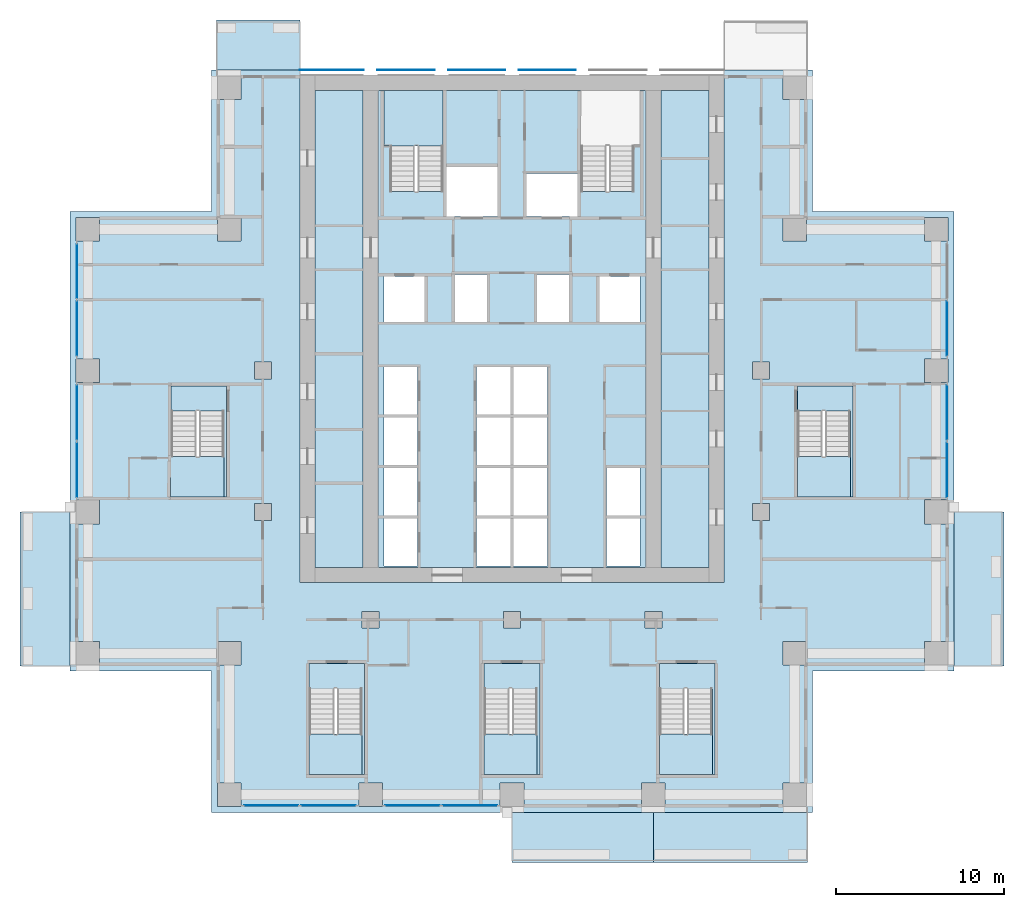
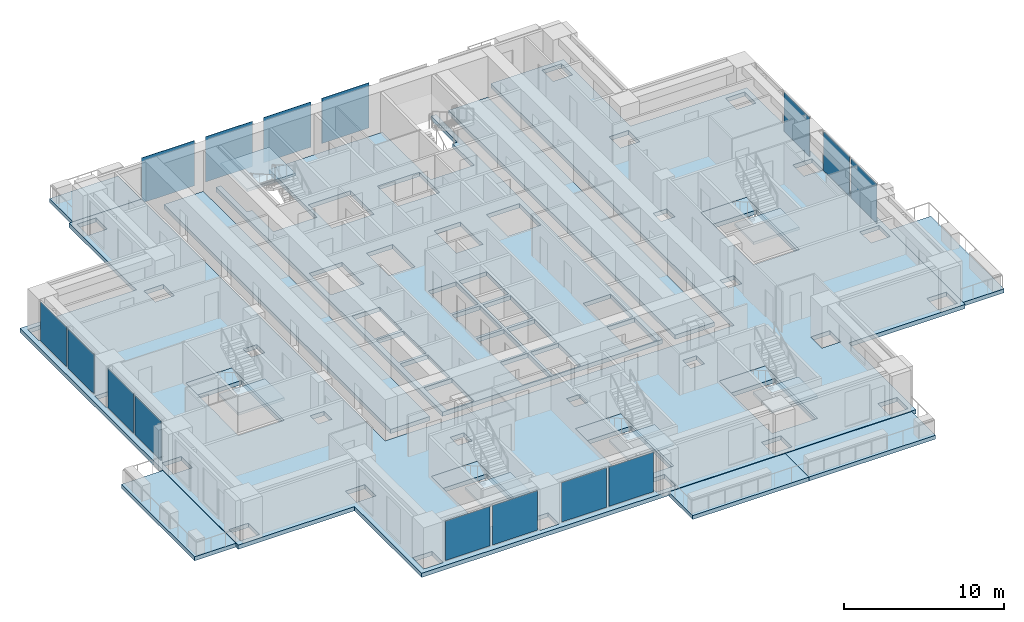
# One storey, part 7 of 17: 20 slabs, 15 plates, 12 elements without a shape of their own.
"""IFC4 building model written with IfcOpenShell, lengths in metres."""

from ifc_helpers import new_model, si_unit, direction, frame, origin, origin_2d, place, context, subcontext, project, spatial, polyline, rectangle, outline, extrude, material, layer, layer_set, type_object, element, aggregate, save


model = new_model("IFC4")

# Units and contexts
model_context = context("Model", 3, precision=1e-05, world=origin(), true_north=direction((0.0, 1.0)))
body_context = subcontext(model_context, "Body", "Model", "MODEL_VIEW")
ifc_project = project(units=[si_unit("LENGTHUNIT", "METRE"), si_unit("AREAUNIT", "SQUARE_METRE"), si_unit("VOLUMEUNIT", "CUBIC_METRE"), si_unit("PLANEANGLEUNIT", "RADIAN"), si_unit("MASSUNIT", "GRAM", prefix="KILO")], contexts=[model_context])

# Site, building, storey
site_placement = place(None, origin())
site = spatial("IfcSite", under=ifc_project, at=site_placement, CompositionType="ELEMENT")
building_placement = place(site_placement, origin())
building = spatial("IfcBuilding", under=site, at=building_placement, Name="Vermilion Ogive Tower", CompositionType="ELEMENT")
storey_placement = place(building_placement, frame((0.0, 0.0, 65.550048828125)))
storey = spatial("IfcBuildingStorey", under=building, at=storey_placement, Name="L15", CompositionType="ELEMENT", Elevation=65.550048828125)

# Slabs
ifc_material_1 = material(Name="Concrete B40", Category="concrete")
ifc_layer_1 = layer(ifc_material_1, 0.300048828125)
ifc_layer_set_1 = layer_set([ifc_layer_1], Name="Balcony slab")
slab_type_1 = type_object("IfcSlabType", Name="Balcony slab", PredefinedType="FLOOR", material=ifc_layer_set_1)
slab_1_placement = place(storey_placement, frame((0.0, 0.0, -0.340087890625)))
element("IfcSlab", 1, at=slab_1_placement, inside=storey, type_object=slab_type_1, Name="Balcony slab S03", PredefinedType="FLOOR", context=body_context, shape_type="SweptSolid", body=[
    extrude(outline(polyline([(0.0, -25.030029296875), (8.39990234375, -25.030029296875), (8.39990234375, -22.050048828125), (0.0, -22.050048828125), (0.0, -25.030029296875)])), origin(), (0.0, 0.0, 1.0), 0.300048828125),
])
slab_2_placement = place(storey_placement, frame((0.0, 0.0, -0.340087890625)))
element("IfcSlab", 2, at=slab_2_placement, inside=storey, type_object=slab_type_1, Name="Balcony slab S04", PredefinedType="FLOOR", context=body_context, shape_type="SweptSolid", body=[
    extrude(outline(polyline([(8.39990234375, -25.030029296875), (17.550048828125, -25.030029296875), (17.550048828125, -22.050048828125), (8.39990234375, -22.050048828125), (8.39990234375, -25.030029296875)])), origin(), (0.0, 0.0, 1.0), 0.300048828125),
])
slab_3_placement = place(storey_placement, frame((0.0, 0.0, -0.340087890625)))
element("IfcSlab", 3, at=slab_3_placement, inside=storey, type_object=slab_type_1, Name="Balcony slab E01", PredefinedType="FLOOR", context=body_context, shape_type="SweptSolid", body=[
    extrude(outline(polyline([(29.22998046875, -13.35009765625), (29.22998046875, -4.199951171875), (26.25, -4.199951171875), (26.25, -13.35009765625), (29.22998046875, -13.35009765625)])), origin(), (0.0, 0.0, 1.0), 0.300048828125),
])
slab_4_placement = place(storey_placement, frame((0.0, 0.0, -0.340087890625)))
element("IfcSlab", 4, at=slab_4_placement, inside=storey, type_object=slab_type_1, Name="Balcony slab N201", PredefinedType="FLOOR", context=body_context, shape_type="SweptSolid", body=[
    extrude(outline(polyline([(-12.60009765625, 25.030029296875), (-17.550048828125, 25.030029296875), (-17.550048828125, 22.050048828125), (-12.60009765625, 22.050048828125), (-12.60009765625, 25.030029296875)])), origin(), (0.0, 0.0, 1.0), 0.300048828125),
])
slab_5_placement = place(storey_placement, frame((0.0, 0.0, -0.340087890625)))
element("IfcSlab", 5, at=slab_5_placement, inside=storey, type_object=slab_type_1, Name="Balcony slab W03", PredefinedType="FLOOR", context=body_context, shape_type="SweptSolid", body=[
    extrude(outline(polyline([(-29.22998046875, -4.199951171875), (-29.22998046875, -13.35009765625), (-26.25, -13.35009765625), (-26.25, -4.199951171875), (-29.22998046875, -4.199951171875)])), origin(), (0.0, 0.0, 1.0), 0.300048828125),
])

# Curtain wall, plates
ifc_material_2 = material(Name="Low-iron laminated glazing in aluminium frame", Category="aluminium")
curtain_wall_type = type_object("IfcCurtainWallType", Name="Curtain wall CW7", PredefinedType="NOTDEFINED", material=ifc_material_2)
curtain_wall_1_placement = place(storey_placement, origin())
curtain_wall_1 = element("IfcCurtainWall", 6, at=curtain_wall_1_placement, inside=storey, type_object=curtain_wall_type, Name="Glazed skin S1", PredefinedType="NOTDEFINED")
ifc_material_3 = material(Name="Low-iron laminated glazing in aluminium frame", Category="aluminium")
ifc_layer_2 = layer(ifc_material_3, 0.031982421875)
ifc_layer_set_2 = layer_set([ifc_layer_2], Name="CW7 glazing panel 32")
plate_type_1 = type_object("IfcPlateType", Name="CW7 glazing panel 32", PredefinedType="CURTAIN_PANEL", material=ifc_layer_set_2)
plate_1_placement = place(storey_placement, frame((-14.304931640625, -21.64990234375, 0.06005859375), z_axis=(0.0, 0.0, 1.0), x_axis=(1.0, 0.0, 0.0)))
plate_1 = element("IfcPlate", 7, at=plate_1_placement, type_object=plate_type_1, Name="CW7-S1 panel 1.1", PredefinedType="CURTAIN_PANEL", context=body_context, shape_type="SweptSolid", body=[
    extrude(rectangle(XDim=3.22998046875, YDim=0.031982421875, at=origin_2d()), origin(), (0.0, 0.0, 1.0), 3.010009765625),
])
plate_2_placement = place(storey_placement, frame((-10.89501953125, -21.64990234375, 0.06005859375), z_axis=(0.0, 0.0, 1.0), x_axis=(1.0, 0.0, 0.0)))
plate_2 = element("IfcPlate", 8, at=plate_2_placement, type_object=plate_type_1, Name="CW7-S1 panel 2.1", PredefinedType="CURTAIN_PANEL", context=body_context, shape_type="SweptSolid", body=[
    extrude(rectangle(XDim=3.22998046875, YDim=0.031982421875, at=origin_2d()), origin(), (0.0, 0.0, 1.0), 3.010009765625),
])
aggregate(curtain_wall_1, [plate_1, plate_2])

curtain_wall_2_placement = place(storey_placement, origin())
curtain_wall_2 = element("IfcCurtainWall", 9, at=curtain_wall_2_placement, inside=storey, type_object=curtain_wall_type, Name="Glazed skin S2", PredefinedType="NOTDEFINED")
plate_3_placement = place(storey_placement, frame((-5.905029296875, -21.64990234375, 0.06005859375), z_axis=(0.0, 0.0, 1.0), x_axis=(1.0, 0.0, 0.0)))
plate_3 = element("IfcPlate", 10, at=plate_3_placement, type_object=plate_type_1, Name="CW7-S2 panel 1.1", PredefinedType="CURTAIN_PANEL", context=body_context, shape_type="SweptSolid", body=[
    extrude(rectangle(XDim=3.22998046875, YDim=0.031982421875, at=origin_2d()), origin(), (0.0, 0.0, 1.0), 3.010009765625),
])
plate_4_placement = place(storey_placement, frame((-2.4951171875, -21.64990234375, 0.06005859375), z_axis=(0.0, 0.0, 1.0), x_axis=(1.0, 0.0, 0.0)))
plate_4 = element("IfcPlate", 11, at=plate_4_placement, type_object=plate_type_1, Name="CW7-S2 panel 2.1", PredefinedType="CURTAIN_PANEL", context=body_context, shape_type="SweptSolid", body=[
    extrude(rectangle(XDim=3.22998046875, YDim=0.031982421875, at=origin_2d()), origin(), (0.0, 0.0, 1.0), 3.010009765625),
])
aggregate(curtain_wall_2, [plate_3, plate_4])

curtain_wall_3_placement = place(storey_placement, origin())
curtain_wall_3 = element("IfcCurtainWall", 12, at=curtain_wall_3_placement, inside=storey, type_object=curtain_wall_type, Name="Glazed skin E2", PredefinedType="NOTDEFINED")
plate_5_placement = place(storey_placement, frame((25.85009765625, -1.705078125, 0.06005859375), z_axis=(0.0, 0.0, 1.0), x_axis=(0.0, 1.0, 0.0)))
plate_5 = element("IfcPlate", 13, at=plate_5_placement, type_object=plate_type_1, Name="CW7-E2 panel 1.1", PredefinedType="CURTAIN_PANEL", context=body_context, shape_type="SweptSolid", body=[
    extrude(rectangle(XDim=3.22998046875, YDim=0.031982421875, at=origin_2d()), origin(), (0.0, 0.0, 1.0), 3.010009765625),
])
plate_6_placement = place(storey_placement, frame((25.85009765625, 1.705078125, 0.06005859375), z_axis=(0.0, 0.0, 1.0), x_axis=(0.0, 1.0, 0.0)))
plate_6 = element("IfcPlate", 14, at=plate_6_placement, type_object=plate_type_1, Name="CW7-E2 panel 2.1", PredefinedType="CURTAIN_PANEL", context=body_context, shape_type="SweptSolid", body=[
    extrude(rectangle(XDim=3.22998046875, YDim=0.031982421875, at=origin_2d()), origin(), (0.0, 0.0, 1.0), 3.010009765625),
])
aggregate(curtain_wall_3, [plate_5, plate_6])

# Curtain wall, plate
curtain_wall_4_placement = place(storey_placement, origin())
curtain_wall_4 = element("IfcCurtainWall", 15, at=curtain_wall_4_placement, inside=storey, type_object=curtain_wall_type, Name="Glazed skin E3", PredefinedType="NOTDEFINED")
plate_7_placement = place(storey_placement, frame((25.85009765625, 6.695068359375, 0.06005859375), z_axis=(0.0, 0.0, 1.0), x_axis=(0.0, 1.0, 0.0)))
plate_7 = element("IfcPlate", 16, at=plate_7_placement, type_object=plate_type_1, Name="CW7-E3 panel 1.1", PredefinedType="CURTAIN_PANEL", context=body_context, shape_type="SweptSolid", body=[
    extrude(rectangle(XDim=3.22998046875, YDim=0.031982421875, at=origin_2d()), origin(), (0.0, 0.0, 1.0), 3.010009765625),
])
aggregate(curtain_wall_4, [plate_7])

# Curtain wall, plates
curtain_wall_5_placement = place(storey_placement, origin())
curtain_wall_5 = element("IfcCurtainWall", 17, at=curtain_wall_5_placement, inside=storey, type_object=curtain_wall_type, Name="Glazed skin W1", PredefinedType="NOTDEFINED")
plate_8_placement = place(storey_placement, frame((-25.85009765625, 10.10498046875, 0.06005859375), z_axis=(0.0, 0.0, 1.0), x_axis=(0.0, -1.0, 0.0)))
plate_8 = element("IfcPlate", 18, at=plate_8_placement, type_object=plate_type_1, Name="CW7-W1 panel 1.1", PredefinedType="CURTAIN_PANEL", context=body_context, shape_type="SweptSolid", body=[
    extrude(rectangle(XDim=3.22998046875, YDim=0.031982421875, at=origin_2d()), origin(), (0.0, 0.0, 1.0), 3.010009765625),
])
plate_9_placement = place(storey_placement, frame((-25.85009765625, 6.695068359375, 0.06005859375), z_axis=(0.0, 0.0, 1.0), x_axis=(0.0, -1.0, 0.0)))
plate_9 = element("IfcPlate", 19, at=plate_9_placement, type_object=plate_type_1, Name="CW7-W1 panel 2.1", PredefinedType="CURTAIN_PANEL", context=body_context, shape_type="SweptSolid", body=[
    extrude(rectangle(XDim=3.22998046875, YDim=0.031982421875, at=origin_2d()), origin(), (0.0, 0.0, 1.0), 3.010009765625),
])
aggregate(curtain_wall_5, [plate_8, plate_9])

curtain_wall_6_placement = place(storey_placement, origin())
curtain_wall_6 = element("IfcCurtainWall", 20, at=curtain_wall_6_placement, inside=storey, type_object=curtain_wall_type, Name="Glazed skin W2", PredefinedType="NOTDEFINED")
plate_10_placement = place(storey_placement, frame((-25.85009765625, 1.705078125, 0.06005859375), z_axis=(0.0, 0.0, 1.0), x_axis=(0.0, -1.0, 0.0)))
plate_10 = element("IfcPlate", 21, at=plate_10_placement, type_object=plate_type_1, Name="CW7-W2 panel 1.1", PredefinedType="CURTAIN_PANEL", context=body_context, shape_type="SweptSolid", body=[
    extrude(rectangle(XDim=3.22998046875, YDim=0.031982421875, at=origin_2d()), origin(), (0.0, 0.0, 1.0), 3.010009765625),
])
plate_11_placement = place(storey_placement, frame((-25.85009765625, -1.705078125, 0.06005859375), z_axis=(0.0, 0.0, 1.0), x_axis=(0.0, -1.0, 0.0)))
plate_11 = element("IfcPlate", 22, at=plate_11_placement, type_object=plate_type_1, Name="CW7-W2 panel 2.1", PredefinedType="CURTAIN_PANEL", context=body_context, shape_type="SweptSolid", body=[
    extrude(rectangle(XDim=3.22998046875, YDim=0.031982421875, at=origin_2d()), origin(), (0.0, 0.0, 1.0), 3.010009765625),
])
aggregate(curtain_wall_6, [plate_10, plate_11])

# Slabs
ifc_material_4 = material(Name="Concrete B40", Category="concrete")
ifc_layer_3 = layer(ifc_material_4, 0.320068359375)
ifc_layer_set_3 = layer_set([ifc_layer_3], Name="Core floor slab 320 B40")
slab_type_2 = type_object("IfcSlabType", Name="Core floor slab 320 B40", PredefinedType="FLOOR", material=ifc_layer_set_3)
slab_6_placement = place(storey_placement, frame((0.0, 0.0, -0.320068359375)))
element("IfcSlab", 23, at=slab_6_placement, inside=storey, type_object=slab_type_2, Name="L15-CK-FS1", PredefinedType="FLOOR", context=body_context, shape_type="SweptSolid", body=[
    extrude(outline(polyline([(-8.85400390625, -7.49609375), (-11.696044921875, -7.49609375), (-11.696044921875, 20.845947265625), (-8.85400390625, 20.845947265625), (-8.85400390625, -7.49609375)])), origin(), (0.0, 0.0, 1.0), 0.320068359375),
])
slab_7_placement = place(storey_placement, frame((0.0, 0.0, -0.320068359375)))
element("IfcSlab", 24, at=slab_7_placement, inside=storey, type_object=slab_type_2, Name="L15-CK-FS2", PredefinedType="FLOOR", context=body_context, shape_type="SweptSolid", body=[
    extrude(outline(polyline([(5.75, 14.85009765625), (5.60009765625, 14.85009765625), (5.60009765625, 14.85205078125), (4.10009765625, 14.85205078125), (4.10009765625, 17.550048828125), (4.074951171875, 17.550048828125), (4.074951171875, 20.845947265625), (-4.10009765625, 20.845947265625), (-4.10009765625, 14.85205078125), (-5.60009765625, 14.85205078125), (-5.60009765625, 14.85009765625), (-5.75, 14.85009765625), (-5.75, 14.85205078125), (-7.25, 14.85205078125), (-7.25, 17.550048828125), (-7.60009765625, 17.550048828125), (-7.60009765625, 20.845947265625), (-7.946044921875, 20.845947265625), (-7.946044921875, -7.49609375), (7.946044921875, -7.49609375), (7.946044921875, 20.845947265625), (7.60009765625, 20.845947265625), (7.60009765625, 17.550048828125), (7.25, 17.550048828125), (7.25, 14.85205078125), (5.75, 14.85205078125), (5.75, 14.85009765625)]), holes=[polyline([(-7.60009765625, -4.60009765625), (-5.60009765625, -4.60009765625), (-5.60009765625, -7.39990234375), (-7.60009765625, -7.39990234375), (-7.60009765625, -4.60009765625)]), polyline([(-2.10009765625, -4.60009765625), (-0.10009765625, -4.60009765625), (-0.10009765625, -7.39990234375), (-2.10009765625, -7.39990234375), (-2.10009765625, -4.60009765625)]), polyline([(-7.60009765625, -4.39990234375), (-7.60009765625, -1.60009765625), (-5.60009765625, -1.60009765625), (-5.60009765625, -4.39990234375), (-7.60009765625, -4.39990234375)]), polyline([(-2.10009765625, -1.60009765625), (-0.10009765625, -1.60009765625), (-0.10009765625, -4.39990234375), (-2.10009765625, -4.39990234375), (-2.10009765625, -1.60009765625)]), polyline([(-7.60009765625, -1.39990234375), (-7.60009765625, 1.39990234375), (-5.60009765625, 1.39990234375), (-5.60009765625, -1.39990234375), (-7.60009765625, -1.39990234375)]), polyline([(-2.10009765625, 1.39990234375), (-0.10009765625, 1.39990234375), (-0.10009765625, -1.39990234375), (-2.10009765625, -1.39990234375), (-2.10009765625, 1.39990234375)]), polyline([(-7.60009765625, 4.39990234375), (-5.60009765625, 4.39990234375), (-5.60009765625, 1.60009765625), (-7.60009765625, 1.60009765625), (-7.60009765625, 4.39990234375)]), polyline([(-2.10009765625, 4.39990234375), (-0.10009765625, 4.39990234375), (-0.10009765625, 1.60009765625), (-2.10009765625, 1.60009765625), (-2.10009765625, 4.39990234375)]), polyline([(-7.60009765625, 9.800048828125), (-5.199951171875, 9.800048828125), (-5.199951171875, 7.10009765625), (-7.60009765625, 7.10009765625), (-7.60009765625, 9.800048828125)]), polyline([(-3.39990234375, 9.89990234375), (-1.5, 9.89990234375), (-1.5, 7.10009765625), (-3.39990234375, 7.10009765625), (-3.39990234375, 9.89990234375)]), polyline([(-3.89990234375, 16.300048828125), (-0.85009765625, 16.300048828125), (-0.85009765625, 13.35009765625), (-3.89990234375, 13.35009765625), (-3.89990234375, 16.300048828125)]), polyline([(0.10009765625, -4.60009765625), (2.10009765625, -4.60009765625), (2.10009765625, -7.39990234375), (0.10009765625, -7.39990234375), (0.10009765625, -4.60009765625)]), polyline([(5.60009765625, -4.60009765625), (7.60009765625, -4.60009765625), (7.60009765625, -7.39990234375), (5.60009765625, -7.39990234375), (5.60009765625, -4.60009765625)]), polyline([(0.10009765625, -1.60009765625), (2.10009765625, -1.60009765625), (2.10009765625, -4.39990234375), (0.10009765625, -4.39990234375), (0.10009765625, -1.60009765625)]), polyline([(5.60009765625, -1.60009765625), (7.60009765625, -1.60009765625), (7.60009765625, -4.39990234375), (5.60009765625, -4.39990234375), (5.60009765625, -1.60009765625)]), polyline([(0.10009765625, 1.39990234375), (2.10009765625, 1.39990234375), (2.10009765625, -1.39990234375), (0.10009765625, -1.39990234375), (0.10009765625, 1.39990234375)]), polyline([(0.10009765625, 4.39990234375), (2.10009765625, 4.39990234375), (2.10009765625, 1.60009765625), (0.10009765625, 1.60009765625), (0.10009765625, 4.39990234375)]), polyline([(5.199951171875, 9.800048828125), (7.60009765625, 9.800048828125), (7.60009765625, 7.10009765625), (5.199951171875, 7.10009765625), (5.199951171875, 9.800048828125)]), polyline([(1.5, 9.89990234375), (3.39990234375, 9.89990234375), (3.39990234375, 7.10009765625), (1.5, 7.10009765625), (1.5, 9.89990234375)]), polyline([(0.85009765625, 15.89990234375), (3.89990234375, 15.89990234375), (3.89990234375, 13.35009765625), (0.85009765625, 13.35009765625), (0.85009765625, 15.89990234375)])]), origin(), (0.0, 0.0, 1.0), 0.320068359375),
])
slab_8_placement = place(storey_placement, frame((0.0, 0.0, -0.320068359375)))
element("IfcSlab", 25, at=slab_8_placement, inside=storey, type_object=slab_type_2, Name="L15-CK-FS3", PredefinedType="FLOOR", context=body_context, shape_type="SweptSolid", body=[
    extrude(outline(polyline([(8.85400390625, 20.845947265625), (11.696044921875, 20.845947265625), (11.696044921875, -7.49609375), (8.85400390625, -7.49609375), (8.85400390625, 20.845947265625)])), origin(), (0.0, 0.0, 1.0), 0.320068359375),
])
slab_9_placement = place(storey_placement, frame((0.0, 0.0, -0.320068359375)))
element("IfcSlab", 26, at=slab_9_placement, inside=storey, type_object=slab_type_2, Name="L15-SF-ST3-1", PredefinedType="FLOOR", context=body_context, shape_type="SweptSolid", body=[
    extrude(outline(polyline([(-12.050048828125, -13.199951171875), (-12.050048828125, -14.701904296875), (-10.550048828125, -14.701904296875), (-10.550048828125, -14.699951171875), (-10.39990234375, -14.699951171875), (-10.39990234375, -14.701904296875), (-8.89990234375, -14.701904296875), (-8.89990234375, -19.800048828125), (-8.75, -19.800048828125), (-8.75, -13.199951171875), (-12.050048828125, -13.199951171875)])), origin(), (0.0, 0.0, 1.0), 0.320068359375),
])
slab_10_placement = place(storey_placement, frame((0.0, 0.0, -0.320068359375)))
element("IfcSlab", 27, at=slab_10_placement, inside=storey, type_object=slab_type_2, Name="L15-SF-ST4-1", PredefinedType="FLOOR", context=body_context, shape_type="SweptSolid", body=[
    extrude(outline(polyline([(-1.64990234375, -13.199951171875), (-1.64990234375, -14.701904296875), (-0.14990234375, -14.701904296875), (-0.14990234375, -14.699951171875), (0.0, -14.699951171875), (0.0, -14.701904296875), (1.5, -14.701904296875), (1.5, -19.800048828125), (1.64990234375, -19.800048828125), (1.64990234375, -13.199951171875), (-1.64990234375, -13.199951171875)])), origin(), (0.0, 0.0, 1.0), 0.320068359375),
])
slab_11_placement = place(storey_placement, frame((0.0, 0.0, -0.320068359375)))
element("IfcSlab", 28, at=slab_11_placement, inside=storey, type_object=slab_type_2, Name="L15-SF-ST5-1", PredefinedType="FLOOR", context=body_context, shape_type="SweptSolid", body=[
    extrude(outline(polyline([(8.75, -13.199951171875), (8.75, -14.701904296875), (10.25, -14.701904296875), (10.25, -14.699951171875), (10.39990234375, -14.699951171875), (10.39990234375, -14.701904296875), (11.89990234375, -14.701904296875), (11.89990234375, -19.800048828125), (12.050048828125, -19.800048828125), (12.050048828125, -13.199951171875), (8.75, -13.199951171875)])), origin(), (0.0, 0.0, 1.0), 0.320068359375),
])
slab_12_placement = place(storey_placement, frame((0.0, 0.0, -0.320068359375)))
element("IfcSlab", 29, at=slab_12_placement, inside=storey, type_object=slab_type_2, Name="L15-SF-ST8-1", PredefinedType="FLOOR", context=body_context, shape_type="SweptSolid", body=[
    extrude(outline(polyline([(16.949951171875, 3.300048828125), (16.949951171875, 1.798095703125), (18.449951171875, 1.798095703125), (18.449951171875, 1.800048828125), (18.60009765625, 1.800048828125), (18.60009765625, 1.798095703125), (20.10009765625, 1.798095703125), (20.10009765625, -3.300048828125), (20.25, -3.300048828125), (20.25, 3.300048828125), (16.949951171875, 3.300048828125)])), origin(), (0.0, 0.0, 1.0), 0.320068359375),
])
slab_13_placement = place(storey_placement, frame((0.0, 0.0, -0.320068359375)))
element("IfcSlab", 30, at=slab_13_placement, inside=storey, type_object=slab_type_2, Name="L15-SF-ST9-1", PredefinedType="FLOOR", context=body_context, shape_type="SweptSolid", body=[
    extrude(outline(polyline([(-20.25, 3.300048828125), (-20.25, 1.798095703125), (-18.75, 1.798095703125), (-18.75, 1.800048828125), (-18.60009765625, 1.800048828125), (-18.60009765625, 1.798095703125), (-17.10009765625, 1.798095703125), (-17.10009765625, -3.300048828125), (-16.949951171875, -3.300048828125), (-16.949951171875, 3.300048828125), (-20.25, 3.300048828125)])), origin(), (0.0, 0.0, 1.0), 0.320068359375),
])

# Plates
ifc_material_5 = material(Name="Low-iron laminated glazing in aluminium frame", Category="aluminium")
ifc_layer_4 = layer(ifc_material_5, 0.031982421875)
ifc_layer_set_4 = layer_set([ifc_layer_4], Name="Glazed rainscreen sheet 32")
plate_type_2 = type_object("IfcPlateType", Name="Glazed rainscreen sheet 32", PredefinedType="SHEET", material=ifc_layer_set_4)
plate_12_placement = place(storey_placement, frame((-10.7099609375, 22.06591796875, -0.31982421875), z_axis=(0.0, 0.0, 1.0), x_axis=(1.0, 0.0, 0.0)))
element("IfcPlate", 31, at=plate_12_placement, inside=storey, type_object=plate_type_2, Name="Glazed rainscreen sheet N1", PredefinedType="SHEET", context=body_context, shape_type="SweptSolid", body=[
    extrude(rectangle(XDim=3.820068359375, YDim=0.031982421875, at=origin_2d()), origin(), (0.0, 0.0, 1.0), 3.449951171875),
])
for number, where, z_axis, x_axis, name in (
    (32, (-6.300048828125, 22.06591796875, -0.31982421875), (0.0, 0.0, 1.0), (1.0, 0.0, 0.0), "Glazed rainscreen sheet N2"),
    (33, (-2.10009765625, 22.06591796875, -0.31982421875), (0.0, 0.0, 1.0), (1.0, 0.0, 0.0), "Glazed rainscreen sheet N3"),
    (34, (2.10009765625, 22.06591796875, -0.31982421875), (0.0, 0.0, 1.0), (1.0, 0.0, 0.0), "Glazed rainscreen sheet N4"),
):
    element("IfcPlate", number, at=place(storey_placement, frame(where, z_axis=z_axis, x_axis=x_axis)), inside=storey, type_object=plate_type_2, Name=name, PredefinedType="SHEET", context=body_context, shape_type="SweptSolid", body=[
        extrude(rectangle(XDim=3.39990234375, YDim=0.031982421875, at=origin_2d()), origin(), (0.0, 0.0, 1.0), 3.449951171875),
    ])

# Slab
ifc_material_6 = material(Name="Concrete B45", Category="concrete")
ifc_layer_5 = layer(ifc_material_6, 0.320068359375)
ifc_layer_set_5 = layer_set([ifc_layer_5], Name="Post-tensioned flat plate 320 B45")
slab_type_3 = type_object("IfcSlabType", Name="Post-tensioned flat plate 320 B45", PredefinedType="FLOOR", material=ifc_layer_set_5)
slab_14_placement = place(storey_placement, frame((0.0, 0.0, -0.320068359375)))
element("IfcSlab", 35, at=slab_14_placement, inside=storey, type_object=slab_type_3, Name="L15-SL-1", PredefinedType="FLOOR", context=body_context, shape_type="SweptSolid", body=[
    extrude(outline(polyline([(-26.25, -13.64990234375), (-17.85009765625, -13.64990234375), (-17.85009765625, -22.050048828125), (17.85009765625, -22.050048828125), (17.85009765625, -13.64990234375), (26.25, -13.64990234375), (26.25, 13.64990234375), (17.85009765625, 13.64990234375), (17.85009765625, 22.050048828125), (12.60009765625, 22.050048828125), (12.60009765625, -8.39990234375), (-12.60009765625, -8.39990234375), (-12.60009765625, 22.050048828125), (-17.85009765625, 22.050048828125), (-17.85009765625, 13.64990234375), (-26.25, 13.64990234375), (-26.25, -13.64990234375)]), holes=[polyline([(25.89990234375, -3.5), (25.89990234375, -4.89990234375), (24.5, -4.89990234375), (24.5, -3.5), (25.89990234375, -3.5)]), polyline([(25.89990234375, -11.89990234375), (25.89990234375, -13.300048828125), (24.5, -13.300048828125), (24.5, -11.89990234375), (25.89990234375, -11.89990234375)]), polyline([(25.89990234375, 11.89990234375), (24.5, 11.89990234375), (24.5, 13.300048828125), (25.89990234375, 13.300048828125), (25.89990234375, 11.89990234375)]), polyline([(25.89990234375, 3.5), (24.5, 3.5), (24.5, 4.89990234375), (25.89990234375, 4.89990234375), (25.89990234375, 3.5)]), polyline([(20.25, 3.300048828125), (20.25, -3.300048828125), (16.949951171875, -3.300048828125), (16.949951171875, 3.300048828125), (20.25, 3.300048828125)]), polyline([(17.5, -11.89990234375), (17.5, -13.300048828125), (16.10009765625, -13.300048828125), (16.10009765625, -11.89990234375), (17.5, -11.89990234375)]), polyline([(17.5, 20.300048828125), (16.10009765625, 20.300048828125), (16.10009765625, 21.699951171875), (17.5, 21.699951171875), (17.5, 20.300048828125)]), polyline([(17.5, -20.300048828125), (17.5, -21.699951171875), (16.10009765625, -21.699951171875), (16.10009765625, -20.300048828125), (17.5, -20.300048828125)]), polyline([(17.5, 13.300048828125), (17.5, 11.89990234375), (16.10009765625, 11.89990234375), (16.10009765625, 13.300048828125), (17.5, 13.300048828125)]), polyline([(15.300048828125, 4.699951171875), (15.300048828125, 3.699951171875), (14.300048828125, 3.699951171875), (14.300048828125, 4.699951171875), (15.300048828125, 4.699951171875)]), polyline([(15.300048828125, -4.699951171875), (14.300048828125, -4.699951171875), (14.300048828125, -3.699951171875), (15.300048828125, -3.699951171875), (15.300048828125, -4.699951171875)]), polyline([(12.050048828125, -13.199951171875), (12.050048828125, -19.800048828125), (8.75, -19.800048828125), (8.75, -13.199951171875), (12.050048828125, -13.199951171875)]), polyline([(9.10009765625, -20.300048828125), (9.10009765625, -21.699951171875), (7.699951171875, -21.699951171875), (7.699951171875, -20.300048828125), (9.10009765625, -20.300048828125)]), polyline([(8.89990234375, -11.10009765625), (7.89990234375, -11.10009765625), (7.89990234375, -10.10009765625), (8.89990234375, -10.10009765625), (8.89990234375, -11.10009765625)]), polyline([(1.64990234375, -13.199951171875), (1.64990234375, -19.800048828125), (-1.64990234375, -19.800048828125), (-1.64990234375, -13.199951171875), (1.64990234375, -13.199951171875)]), polyline([(0.699951171875, -20.300048828125), (0.699951171875, -21.699951171875), (-0.699951171875, -21.699951171875), (-0.699951171875, -20.300048828125), (0.699951171875, -20.300048828125)]), polyline([(0.5, -10.10009765625), (0.5, -11.10009765625), (-0.5, -11.10009765625), (-0.5, -10.10009765625), (0.5, -10.10009765625)]), polyline([(-7.699951171875, -20.300048828125), (-7.699951171875, -21.699951171875), (-9.10009765625, -21.699951171875), (-9.10009765625, -20.300048828125), (-7.699951171875, -20.300048828125)]), polyline([(-7.89990234375, -10.10009765625), (-7.89990234375, -11.10009765625), (-8.89990234375, -11.10009765625), (-8.89990234375, -10.10009765625), (-7.89990234375, -10.10009765625)]), polyline([(-8.75, -13.199951171875), (-8.75, -19.800048828125), (-12.050048828125, -19.800048828125), (-12.050048828125, -13.199951171875), (-8.75, -13.199951171875)]), polyline([(-14.300048828125, 4.699951171875), (-14.300048828125, 3.699951171875), (-15.300048828125, 3.699951171875), (-15.300048828125, 4.699951171875), (-14.300048828125, 4.699951171875)]), polyline([(-14.300048828125, -4.699951171875), (-15.300048828125, -4.699951171875), (-15.300048828125, -3.699951171875), (-14.300048828125, -3.699951171875), (-14.300048828125, -4.699951171875)]), polyline([(-16.10009765625, 13.300048828125), (-16.10009765625, 11.89990234375), (-17.5, 11.89990234375), (-17.5, 13.300048828125), (-16.10009765625, 13.300048828125)]), polyline([(-16.10009765625, -11.89990234375), (-16.10009765625, -13.300048828125), (-17.5, -13.300048828125), (-17.5, -11.89990234375), (-16.10009765625, -11.89990234375)]), polyline([(-16.10009765625, -20.300048828125), (-16.10009765625, -21.699951171875), (-17.5, -21.699951171875), (-17.5, -20.300048828125), (-16.10009765625, -20.300048828125)]), polyline([(-16.10009765625, 20.300048828125), (-17.5, 20.300048828125), (-17.5, 21.699951171875), (-16.10009765625, 21.699951171875), (-16.10009765625, 20.300048828125)]), polyline([(-16.949951171875, 3.300048828125), (-16.949951171875, -3.300048828125), (-20.25, -3.300048828125), (-20.25, -3.2998046875), (-20.275146484375, -3.2998046875), (-20.275146484375, -0.89990234375), (-20.25, -0.89990234375), (-20.25, 3.300048828125), (-16.949951171875, 3.300048828125)]), polyline([(-24.5, 3.5), (-25.89990234375, 3.5), (-25.89990234375, 4.89990234375), (-24.5, 4.89990234375), (-24.5, 3.5)]), polyline([(-24.5, 13.300048828125), (-24.5, 11.89990234375), (-25.89990234375, 11.89990234375), (-25.89990234375, 13.300048828125), (-24.5, 13.300048828125)]), polyline([(-24.5, -3.5), (-24.5, -4.89990234375), (-25.89990234375, -4.89990234375), (-25.89990234375, -3.5), (-24.5, -3.5)]), polyline([(-24.5, -11.89990234375), (-24.5, -13.300048828125), (-25.89990234375, -13.300048828125), (-25.89990234375, -11.89990234375), (-24.5, -11.89990234375)])]), origin(), (0.0, 0.0, 1.0), 0.320068359375),
])

# Stair, slab
ifc_material_7 = material(Name="Concrete B40", Category="concrete")
stair_type = type_object("IfcStairType", Name="Exit stair 1500", PredefinedType="HALF_TURN_STAIR", material=ifc_material_7)
stair_1_placement = place(storey_placement, origin())
stair_1 = element("IfcStair", 36, at=stair_1_placement, inside=storey, type_object=stair_type, Name="L15 Exit Stair ST1", PredefinedType="HALF_TURN_STAIR")
ifc_material_8 = material(Name="Concrete B40", Category="concrete")
ifc_layer_6 = layer(ifc_material_8, 0.199951171875)
ifc_layer_set_6 = layer_set([ifc_layer_6], Name="Stair landing 200")
slab_type_4 = type_object("IfcSlabType", Name="Stair landing 200", PredefinedType="LANDING", material=ifc_layer_set_6)
slab_15_placement = place(storey_placement, frame((0.0, 0.0, 1.52490234375)))
slab_15 = element("IfcSlab", 37, at=slab_15_placement, type_object=slab_type_4, Name="ST1 landing 1", PredefinedType="LANDING", context=body_context, shape_type="SweptSolid", body=[
    extrude(outline(polyline([(-7.60009765625, 17.550048828125), (-7.25, 17.550048828125), (-7.25, 17.548095703125), (-5.75, 17.548095703125), (-5.75, 17.550048828125), (-5.60009765625, 17.550048828125), (-5.60009765625, 17.548095703125), (-4.10009765625, 17.548095703125), (-4.10009765625, 20.85009765625), (-7.60009765625, 20.85009765625), (-7.60009765625, 17.550048828125)])), origin(), (0.0, 0.0, 1.0), 0.199951171875),
])
aggregate(stair_1, [slab_15])

stair_2_placement = place(storey_placement, origin())
stair_2 = element("IfcStair", 38, at=stair_2_placement, inside=storey, type_object=stair_type, Name="L15 Exit Stair ST3", PredefinedType="HALF_TURN_STAIR")
slab_16_placement = place(storey_placement, frame((0.0, 0.0, 1.52490234375)))
slab_16 = element("IfcSlab", 39, at=slab_16_placement, type_object=slab_type_4, Name="ST3 landing 1", PredefinedType="LANDING", context=body_context, shape_type="SweptSolid", body=[
    extrude(outline(polyline([(-8.75, -17.39990234375), (-8.89990234375, -17.39990234375), (-8.89990234375, -17.39794921875), (-10.39990234375, -17.39794921875), (-10.39990234375, -17.39990234375), (-10.550048828125, -17.39990234375), (-10.550048828125, -17.39794921875), (-12.050048828125, -17.39794921875), (-12.050048828125, -19.800048828125), (-8.75, -19.800048828125), (-8.75, -17.39990234375)])), origin(), (0.0, 0.0, 1.0), 0.199951171875),
])
aggregate(stair_2, [slab_16])

stair_3_placement = place(storey_placement, origin())
stair_3 = element("IfcStair", 40, at=stair_3_placement, inside=storey, type_object=stair_type, Name="L15 Exit Stair ST4", PredefinedType="HALF_TURN_STAIR")
slab_17_placement = place(storey_placement, frame((0.0, 0.0, 1.52490234375)))
slab_17 = element("IfcSlab", 41, at=slab_17_placement, type_object=slab_type_4, Name="ST4 landing 1", PredefinedType="LANDING", context=body_context, shape_type="SweptSolid", body=[
    extrude(outline(polyline([(1.64990234375, -17.39990234375), (1.5, -17.39990234375), (1.5, -17.39794921875), (0.0, -17.39794921875), (0.0, -17.39990234375), (-0.14990234375, -17.39990234375), (-0.14990234375, -17.39794921875), (-1.64990234375, -17.39794921875), (-1.64990234375, -19.7998046875), (1.64990234375, -19.7998046875), (1.64990234375, -17.39990234375)])), origin(), (0.0, 0.0, 1.0), 0.199951171875),
])
aggregate(stair_3, [slab_17])

stair_4_placement = place(storey_placement, origin())
stair_4 = element("IfcStair", 42, at=stair_4_placement, inside=storey, type_object=stair_type, Name="L15 Exit Stair ST5", PredefinedType="HALF_TURN_STAIR")
slab_18_placement = place(storey_placement, frame((0.0, 0.0, 1.52490234375)))
slab_18 = element("IfcSlab", 43, at=slab_18_placement, type_object=slab_type_4, Name="ST5 landing 1", PredefinedType="LANDING", context=body_context, shape_type="SweptSolid", body=[
    extrude(outline(polyline([(12.050048828125, -17.39990234375), (11.89990234375, -17.39990234375), (11.89990234375, -17.39794921875), (10.39990234375, -17.39794921875), (10.39990234375, -17.39990234375), (10.25, -17.39990234375), (10.25, -17.39794921875), (8.75, -17.39794921875), (8.75, -19.800048828125), (12.050048828125, -19.800048828125), (12.050048828125, -17.39990234375)])), origin(), (0.0, 0.0, 1.0), 0.199951171875),
])
aggregate(stair_4, [slab_18])

stair_5_placement = place(storey_placement, origin())
stair_5 = element("IfcStair", 44, at=stair_5_placement, inside=storey, type_object=stair_type, Name="L15 Exit Stair ST8", PredefinedType="HALF_TURN_STAIR")
slab_19_placement = place(storey_placement, frame((0.0, 0.0, 1.52490234375)))
slab_19 = element("IfcSlab", 45, at=slab_19_placement, type_object=slab_type_4, Name="ST8 landing 1", PredefinedType="LANDING", context=body_context, shape_type="SweptSolid", body=[
    extrude(outline(polyline([(20.25, -0.89990234375), (20.10009765625, -0.89990234375), (20.10009765625, -0.89794921875), (18.60009765625, -0.89794921875), (18.60009765625, -0.89990234375), (18.449951171875, -0.89990234375), (18.449951171875, -0.89794921875), (16.949951171875, -0.89794921875), (16.949951171875, -0.902099609375), (16.9501953125, -0.902099609375), (16.9501953125, -3.2998046875), (20.25, -3.2998046875), (20.25, -0.89990234375)])), origin(), (0.0, 0.0, 1.0), 0.199951171875),
])
aggregate(stair_5, [slab_19])

stair_6_placement = place(storey_placement, origin())
stair_6 = element("IfcStair", 46, at=stair_6_placement, inside=storey, type_object=stair_type, Name="L15 Exit Stair ST9", PredefinedType="HALF_TURN_STAIR")
slab_20_placement = place(storey_placement, frame((0.0, 0.0, 1.52490234375)))
slab_20 = element("IfcSlab", 47, at=slab_20_placement, type_object=slab_type_4, Name="ST9 landing 1", PredefinedType="LANDING", context=body_context, shape_type="SweptSolid", body=[
    extrude(outline(polyline([(-16.9501953125, -0.89990234375), (-17.10009765625, -0.89990234375), (-17.10009765625, -0.89794921875), (-18.60009765625, -0.89794921875), (-18.60009765625, -0.89990234375), (-18.75, -0.89990234375), (-18.75, -0.89794921875), (-20.25, -0.89794921875), (-20.25, -0.89990234375), (-20.275146484375, -0.89990234375), (-20.275146484375, -3.2998046875), (-16.9501953125, -3.2998046875), (-16.9501953125, -0.89990234375)])), origin(), (0.0, 0.0, 1.0), 0.199951171875),
])
aggregate(stair_6, [slab_20])

save(model, "model.ifc")
